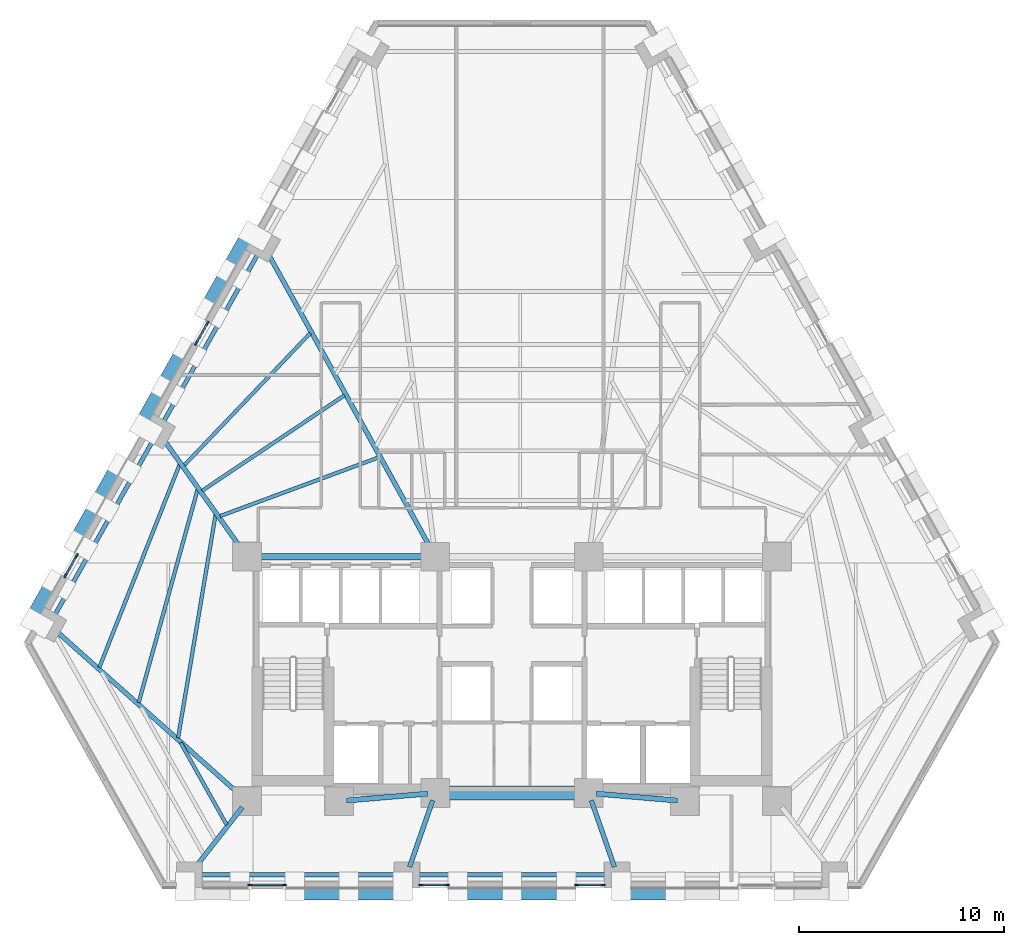
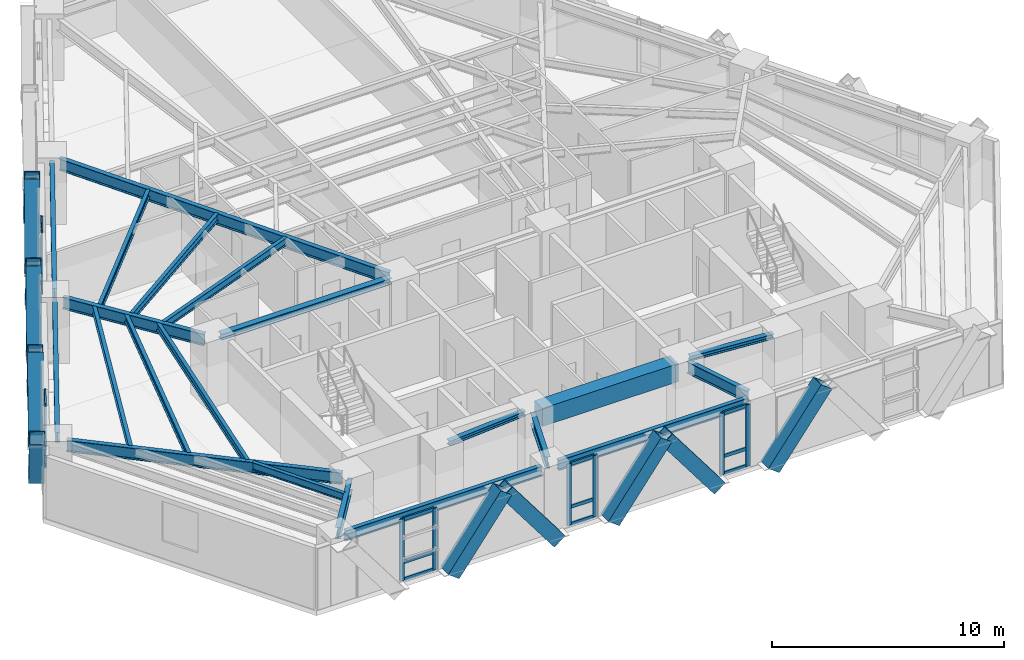
# One storey, part 2 of 13: 37 members, 21 beams, 5 elements without a shape of their own.
"""IFC4 building model written with IfcOpenShell, lengths in metres."""

from ifc_helpers import new_model, si_unit, direction, frame, origin, origin_2d, place, context, subcontext, project, spatial, rectangle, hollow_rectangle, i_section, extrude, material, material_profile, profile_set, type_object, element, aggregate, save


model = new_model("IFC4")

# Units and contexts
model_context = context("Model", 3, precision=1e-05, world=origin(), true_north=direction((0.0, 1.0)))
body_context = subcontext(model_context, "Body", "Model", "MODEL_VIEW")
ifc_project = project(units=[si_unit("LENGTHUNIT", "METRE"), si_unit("AREAUNIT", "SQUARE_METRE"), si_unit("VOLUMEUNIT", "CUBIC_METRE"), si_unit("PLANEANGLEUNIT", "RADIAN"), si_unit("MASSUNIT", "GRAM", prefix="KILO")], contexts=[model_context])

# Site, building, storey
site_placement = place(None, origin())
site = spatial("IfcSite", under=ifc_project, at=site_placement, CompositionType="ELEMENT")
building_placement = place(site_placement, origin())
building = spatial("IfcBuilding", under=site, at=building_placement, Name="Quenlor Broadcast Tower", CompositionType="ELEMENT")
storey_placement = place(building_placement, frame((0.0, 0.0, 66.10009765625)))
storey = spatial("IfcBuildingStorey", under=building, at=storey_placement, Name="L17", CompositionType="ELEMENT", Elevation=66.10009765625)

# Curtain wall, members
ifc_material_1 = material(Name="Architectural Terracotta and Low-E Glazing", Category="masonry")
curtain_wall_type = type_object("IfcCurtainWallType", Name="Unitised Terracotta Curtain Wall System Z1", PredefinedType="NOTDEFINED", material=ifc_material_1)
curtain_wall_1_placement = place(storey_placement, origin())
curtain_wall_1 = element("IfcCurtainWall", 1, at=curtain_wall_1_placement, inside=storey, type_object=curtain_wall_type, Name="L17 Curtain Wall CW1 (L17-SC-G1)", PredefinedType="NOTDEFINED")
ifc_material_2 = material(Name="Aluminium 6063-T6", Category="aluminium")
ifc_material_profile_1 = material_profile(ifc_material_2, rectangle(XDim=0.080078125, YDim=0.219970703125, at=origin_2d()))
ifc_profile_set_1 = profile_set([ifc_material_profile_1], Name="Aluminium 6063-T6 MULL80x220")
member_type_1 = type_object("IfcMemberType", Name="CW1 Aluminium Mullion MULL_CW1", PredefinedType="MULLION", material=ifc_profile_set_1)
member_1_placement = place(storey_placement, frame((-11.146484375, -20.840087890625, 0.0), z_axis=(0.0, 0.0, 1.0), x_axis=(0.0, -1.0, 0.0)))
member_1 = element("IfcMember", 2, at=member_1_placement, type_object=member_type_1, Name="CW1 mullion 1", PredefinedType="MULLION", context=body_context, shape_type="SweptSolid", body=[
    extrude(rectangle(XDim=0.080078125, YDim=0.219970703125, at=origin_2d()), origin(), (0.0, 0.0, 1.0), 3.25),
])
member_2_placement = place(storey_placement, frame((-12.794921875, -20.840087890625, 0.0), z_axis=(0.0, 0.0, 1.0), x_axis=(0.0, -1.0, 0.0)))
member_2 = element("IfcMember", 3, at=member_2_placement, type_object=member_type_1, Name="CW1 mullion 2", PredefinedType="MULLION", context=body_context, shape_type="SweptSolid", body=[
    extrude(rectangle(XDim=0.080078125, YDim=0.219970703125, at=origin_2d()), origin(), (0.0, 0.0, 1.0), 3.25),
])

curtain_wall_2_placement = place(storey_placement, origin())
curtain_wall_2 = element("IfcCurtainWall", 4, at=curtain_wall_2_placement, inside=storey, type_object=curtain_wall_type, Name="L17 Curtain Wall CW1 (L17-S-G1)", PredefinedType="NOTDEFINED")
member_3_placement = place(storey_placement, frame((4.455810546875, -20.840087890625, 0.0), z_axis=(0.0, 0.0, 1.0), x_axis=(0.0, -1.0, 0.0)))
member_3 = element("IfcMember", 5, at=member_3_placement, type_object=member_type_1, Name="CW1 mullion 1", PredefinedType="MULLION", context=body_context, shape_type="SweptSolid", body=[
    extrude(rectangle(XDim=0.080078125, YDim=0.219970703125, at=origin_2d()), origin(), (0.0, 0.0, 1.0), 3.25),
])
member_4_placement = place(storey_placement, frame((3.166015625, -20.840087890625, 0.0), z_axis=(0.0, 0.0, 1.0), x_axis=(0.0, -1.0, 0.0)))
member_4 = element("IfcMember", 6, at=member_4_placement, type_object=member_type_1, Name="CW1 mullion 2", PredefinedType="MULLION", context=body_context, shape_type="SweptSolid", body=[
    extrude(rectangle(XDim=0.080078125, YDim=0.219970703125, at=origin_2d()), origin(), (0.0, 0.0, 1.0), 3.25),
])

curtain_wall_3_placement = place(storey_placement, origin())
curtain_wall_3 = element("IfcCurtainWall", 7, at=curtain_wall_3_placement, inside=storey, type_object=curtain_wall_type, Name="L17 Curtain Wall CW1 (L17-S-G2)", PredefinedType="NOTDEFINED")
member_5_placement = place(storey_placement, frame((-3.166015625, -20.840087890625, 0.0), z_axis=(0.0, 0.0, 1.0), x_axis=(0.0, -1.0, 0.0)))
member_5 = element("IfcMember", 8, at=member_5_placement, type_object=member_type_1, Name="CW1 mullion 1", PredefinedType="MULLION", context=body_context, shape_type="SweptSolid", body=[
    extrude(rectangle(XDim=0.080078125, YDim=0.219970703125, at=origin_2d()), origin(), (0.0, 0.0, 1.0), 3.25),
])
member_6_placement = place(storey_placement, frame((-4.455810546875, -20.840087890625, 0.0), z_axis=(0.0, 0.0, 1.0), x_axis=(0.0, -1.0, 0.0)))
member_6 = element("IfcMember", 9, at=member_6_placement, type_object=member_type_1, Name="CW1 mullion 2", PredefinedType="MULLION", context=body_context, shape_type="SweptSolid", body=[
    extrude(rectangle(XDim=0.080078125, YDim=0.219970703125, at=origin_2d()), origin(), (0.0, 0.0, 1.0), 3.25),
])

curtain_wall_4_placement = place(storey_placement, origin())
curtain_wall_4 = element("IfcCurtainWall", 10, at=curtain_wall_4_placement, inside=storey, type_object=curtain_wall_type, Name="L17 Curtain Wall CW1 (L17-NWA-G1)", PredefinedType="NOTDEFINED")
member_7_placement = place(storey_placement, frame((-21.830322265625, -5.736083984375, 0.0), z_axis=(0.0, 0.0, 1.0), x_axis=(-0.871602077703, 0.490214053392, 0.0)))
member_7 = element("IfcMember", 11, at=member_7_placement, type_object=member_type_1, Name="CW1 mullion 1", PredefinedType="MULLION", context=body_context, shape_type="SweptSolid", body=[
    extrude(rectangle(XDim=0.080078125, YDim=0.219970703125, at=origin_2d()), origin(), (0.0, 0.0, 1.0), 3.25),
])
member_8_placement = place(storey_placement, frame((-21.277587890625, -4.75341796875, 0.0), z_axis=(0.0, 0.0, 1.0), x_axis=(-0.871602077703, 0.490214053392, 0.0)))
member_8 = element("IfcMember", 12, at=member_8_placement, type_object=member_type_1, Name="CW1 mullion 2", PredefinedType="MULLION", context=body_context, shape_type="SweptSolid", body=[
    extrude(rectangle(XDim=0.080078125, YDim=0.219970703125, at=origin_2d()), origin(), (0.0, 0.0, 1.0), 3.25),
])

curtain_wall_5_placement = place(storey_placement, origin())
curtain_wall_5 = element("IfcCurtainWall", 13, at=curtain_wall_5_placement, inside=storey, type_object=curtain_wall_type, Name="L17 Curtain Wall CW1 (L17-NW-G1)", PredefinedType="NOTDEFINED")
member_9_placement = place(storey_placement, frame((-15.436767578125, 5.63037109375, 0.0), z_axis=(0.0, 0.0, 1.0), x_axis=(-0.871566690057, 0.49027696742, 0.0)))
member_9 = element("IfcMember", 14, at=member_9_placement, type_object=member_type_1, Name="CW1 mullion 1", PredefinedType="MULLION", context=body_context, shape_type="SweptSolid", body=[
    extrude(rectangle(XDim=0.080078125, YDim=0.219970703125, at=origin_2d()), origin(), (0.0, 0.0, 1.0), 3.25),
])
member_10_placement = place(storey_placement, frame((-14.884033203125, 6.613037109375, 0.0), z_axis=(0.0, 0.0, 1.0), x_axis=(-0.871566690057, 0.49027696742, 0.0)))
member_10 = element("IfcMember", 15, at=member_10_placement, type_object=member_type_1, Name="CW1 mullion 2", PredefinedType="MULLION", context=body_context, shape_type="SweptSolid", body=[
    extrude(rectangle(XDim=0.080078125, YDim=0.219970703125, at=origin_2d()), origin(), (0.0, 0.0, 1.0), 3.25),
])

# Member
ifc_material_3 = material(Name="Aluminium 6063-T6", Category="aluminium")
ifc_material_profile_2 = material_profile(ifc_material_3, rectangle(XDim=0.080078125, YDim=0.179931640625, at=origin_2d()))
ifc_profile_set_2 = profile_set([ifc_material_profile_2], Name="Aluminium 6063-T6 TRAN80x180")
member_type_2 = type_object("IfcMemberType", Name="CW1 Aluminium Transom TRAN_CW1", PredefinedType="USERDEFINED", material=ifc_profile_set_2)
member_11_placement = place(storey_placement, frame((-11.1865234375, -20.840087890625, 0.039794921875), z_axis=(-1.0, 0.0, 0.0), x_axis=(0.0, -1.0, 0.0)))
member_11 = element("IfcMember", 16, at=member_11_placement, type_object=member_type_2, Name="CW1 transom 1.1", ObjectType="TRANSOM", PredefinedType="USERDEFINED", context=body_context, shape_type="SweptSolid", body=[
    extrude(rectangle(XDim=0.080078125, YDim=0.179931640625, at=origin_2d()), origin(), (0.0, 0.0, 1.0), 1.568359375),
])

member_12_placement = place(storey_placement, frame((-11.1865234375, -20.840087890625, 0.949951171875), z_axis=(-1.0, 0.0, 0.0), x_axis=(0.0, -1.0, 0.0)))
member_12 = element("IfcMember", 17, at=member_12_placement, type_object=member_type_2, Name="CW1 transom 1.2", ObjectType="TRANSOM", PredefinedType="USERDEFINED", context=body_context, shape_type="SweptSolid", body=[
    extrude(rectangle(XDim=0.080078125, YDim=0.179931640625, at=origin_2d()), origin(), (0.0, 0.0, 1.0), 1.568359375),
])

member_13_placement = place(storey_placement, frame((-11.1865234375, -20.840087890625, 3.2099609375), z_axis=(-1.0, 0.0, 0.0), x_axis=(0.0, -1.0, 0.0)))
member_13 = element("IfcMember", 18, at=member_13_placement, type_object=member_type_2, Name="CW1 transom 1.3", ObjectType="TRANSOM", PredefinedType="USERDEFINED", context=body_context, shape_type="SweptSolid", body=[
    extrude(rectangle(XDim=0.080078125, YDim=0.179931640625, at=origin_2d()), origin(), (0.0, 0.0, 1.0), 1.568359375),
])

aggregate(curtain_wall_1, [member_1, member_2, member_11, member_12, member_13])

member_14_placement = place(storey_placement, frame((4.415771484375, -20.840087890625, 0.039794921875), z_axis=(-1.0, 0.0, 0.0), x_axis=(0.0, -1.0, 0.0)))
member_14 = element("IfcMember", 19, at=member_14_placement, type_object=member_type_2, Name="CW1 transom 1.1", ObjectType="TRANSOM", PredefinedType="USERDEFINED", context=body_context, shape_type="SweptSolid", body=[
    extrude(rectangle(XDim=0.080078125, YDim=0.179931640625, at=origin_2d()), origin(), (0.0, 0.0, 1.0), 1.209716796875),
])

member_15_placement = place(storey_placement, frame((4.415771484375, -20.840087890625, 0.949951171875), z_axis=(-1.0, 0.0, 0.0), x_axis=(0.0, -1.0, 0.0)))
member_15 = element("IfcMember", 20, at=member_15_placement, type_object=member_type_2, Name="CW1 transom 1.2", ObjectType="TRANSOM", PredefinedType="USERDEFINED", context=body_context, shape_type="SweptSolid", body=[
    extrude(rectangle(XDim=0.080078125, YDim=0.179931640625, at=origin_2d()), origin(), (0.0, 0.0, 1.0), 1.209716796875),
])

member_16_placement = place(storey_placement, frame((4.415771484375, -20.840087890625, 3.2099609375), z_axis=(-1.0, 0.0, 0.0), x_axis=(0.0, -1.0, 0.0)))
member_16 = element("IfcMember", 21, at=member_16_placement, type_object=member_type_2, Name="CW1 transom 1.3", ObjectType="TRANSOM", PredefinedType="USERDEFINED", context=body_context, shape_type="SweptSolid", body=[
    extrude(rectangle(XDim=0.080078125, YDim=0.179931640625, at=origin_2d()), origin(), (0.0, 0.0, 1.0), 1.209716796875),
])

aggregate(curtain_wall_2, [member_3, member_4, member_14, member_15, member_16])

member_17_placement = place(storey_placement, frame((-3.2060546875, -20.840087890625, 0.039794921875), z_axis=(-1.0, 0.0, 0.0), x_axis=(0.0, -1.0, 0.0)))
member_17 = element("IfcMember", 22, at=member_17_placement, type_object=member_type_2, Name="CW1 transom 1.1", ObjectType="TRANSOM", PredefinedType="USERDEFINED", context=body_context, shape_type="SweptSolid", body=[
    extrude(rectangle(XDim=0.080078125, YDim=0.179931640625, at=origin_2d()), origin(), (0.0, 0.0, 1.0), 1.209716796875),
])

member_18_placement = place(storey_placement, frame((-3.2060546875, -20.840087890625, 0.949951171875), z_axis=(-1.0, 0.0, 0.0), x_axis=(0.0, -1.0, 0.0)))
member_18 = element("IfcMember", 23, at=member_18_placement, type_object=member_type_2, Name="CW1 transom 1.2", ObjectType="TRANSOM", PredefinedType="USERDEFINED", context=body_context, shape_type="SweptSolid", body=[
    extrude(rectangle(XDim=0.080078125, YDim=0.179931640625, at=origin_2d()), origin(), (0.0, 0.0, 1.0), 1.209716796875),
])

member_19_placement = place(storey_placement, frame((-3.2060546875, -20.840087890625, 3.2099609375), z_axis=(-1.0, 0.0, 0.0), x_axis=(0.0, -1.0, 0.0)))
member_19 = element("IfcMember", 24, at=member_19_placement, type_object=member_type_2, Name="CW1 transom 1.3", ObjectType="TRANSOM", PredefinedType="USERDEFINED", context=body_context, shape_type="SweptSolid", body=[
    extrude(rectangle(XDim=0.080078125, YDim=0.179931640625, at=origin_2d()), origin(), (0.0, 0.0, 1.0), 1.209716796875),
])

aggregate(curtain_wall_3, [member_5, member_6, member_17, member_18, member_19])

member_20_placement = place(storey_placement, frame((-21.810791015625, -5.701171875, 0.039794921875), z_axis=(0.490228036821, 0.871594212874, 0.0), x_axis=(-0.871594212874, 0.490228036821, 0.0)))
member_20 = element("IfcMember", 25, at=member_20_placement, type_object=member_type_2, Name="CW1 transom 1.1", ObjectType="TRANSOM", PredefinedType="USERDEFINED", context=body_context, shape_type="SweptSolid", body=[
    extrude(rectangle(XDim=0.080078125, YDim=0.179931640625, at=origin_2d()), origin(), (0.0, 0.0, 1.0), 1.04736328125),
])

member_21_placement = place(storey_placement, frame((-21.810791015625, -5.701171875, 0.949951171875), z_axis=(0.490228036821, 0.871594212874, 0.0), x_axis=(-0.871594212874, 0.490228036821, 0.0)))
member_21 = element("IfcMember", 26, at=member_21_placement, type_object=member_type_2, Name="CW1 transom 1.2", ObjectType="TRANSOM", PredefinedType="USERDEFINED", context=body_context, shape_type="SweptSolid", body=[
    extrude(rectangle(XDim=0.080078125, YDim=0.179931640625, at=origin_2d()), origin(), (0.0, 0.0, 1.0), 1.04736328125),
])

member_22_placement = place(storey_placement, frame((-21.810791015625, -5.701171875, 3.2099609375), z_axis=(0.490228036821, 0.871594212874, 0.0), x_axis=(-0.871594212874, 0.490228036821, 0.0)))
member_22 = element("IfcMember", 27, at=member_22_placement, type_object=member_type_2, Name="CW1 transom 1.3", ObjectType="TRANSOM", PredefinedType="USERDEFINED", context=body_context, shape_type="SweptSolid", body=[
    extrude(rectangle(XDim=0.080078125, YDim=0.179931640625, at=origin_2d()), origin(), (0.0, 0.0, 1.0), 1.04736328125),
])

aggregate(curtain_wall_4, [member_7, member_8, member_20, member_21, member_22])

member_23_placement = place(storey_placement, frame((-15.417236328125, 5.6650390625, 0.039794921875), z_axis=(0.490128451098, 0.87165021736, 0.0), x_axis=(-0.87165021736, 0.490128451098, 0.0)))
member_23 = element("IfcMember", 28, at=member_23_placement, type_object=member_type_2, Name="CW1 transom 1.1", ObjectType="TRANSOM", PredefinedType="USERDEFINED", context=body_context, shape_type="SweptSolid", body=[
    extrude(rectangle(XDim=0.080078125, YDim=0.179931640625, at=origin_2d()), origin(), (0.0, 0.0, 1.0), 1.047607421875),
])

member_24_placement = place(storey_placement, frame((-15.417236328125, 5.6650390625, 0.949951171875), z_axis=(0.490128451098, 0.87165021736, 0.0), x_axis=(-0.87165021736, 0.490128451098, 0.0)))
member_24 = element("IfcMember", 29, at=member_24_placement, type_object=member_type_2, Name="CW1 transom 1.2", ObjectType="TRANSOM", PredefinedType="USERDEFINED", context=body_context, shape_type="SweptSolid", body=[
    extrude(rectangle(XDim=0.080078125, YDim=0.179931640625, at=origin_2d()), origin(), (0.0, 0.0, 1.0), 1.047607421875),
])

member_25_placement = place(storey_placement, frame((-15.417236328125, 5.6650390625, 3.2099609375), z_axis=(0.490128451098, 0.87165021736, 0.0), x_axis=(-0.87165021736, 0.490128451098, 0.0)))
member_25 = element("IfcMember", 30, at=member_25_placement, type_object=member_type_2, Name="CW1 transom 1.3", ObjectType="TRANSOM", PredefinedType="USERDEFINED", context=body_context, shape_type="SweptSolid", body=[
    extrude(rectangle(XDim=0.080078125, YDim=0.179931640625, at=origin_2d()), origin(), (0.0, 0.0, 1.0), 1.047607421875),
])

aggregate(curtain_wall_5, [member_9, member_10, member_23, member_24, member_25])

# Beams
ifc_material_4 = material(Name="Concrete C50/60", Category="concrete")
ifc_material_profile_3 = material_profile(ifc_material_4, rectangle(XDim=0.699951171875, YDim=0.949951171875, at=origin_2d()))
ifc_profile_set_3 = profile_set([ifc_material_profile_3], Name="Concrete C50/60 RCB700x950")
beam_type_1 = type_object("IfcBeamType", Name="Core Coupling Beam Concrete C50/60 700x950", PredefinedType="BEAM", material=ifc_profile_set_3)
beam_1_placement = place(storey_placement, frame((-3.389892578125, -16.35009765625, 2.77490234375), z_axis=(1.0, 0.0, 0.0), x_axis=(0.0, 1.0, 0.0)))
element("IfcBeam", 31, at=beam_1_placement, inside=storey, type_object=beam_type_1, Name="L17 Core Coupling Beam 6", PredefinedType="BEAM", context=body_context, shape_type="SweptSolid", body=[
    extrude(rectangle(XDim=0.699951171875, YDim=0.949951171875, at=origin_2d()), origin(), (0.0, 0.0, 1.0), 6.77978515625),
])
ifc_material_5 = material(Name="Steel S355", Category="steel")
ifc_material_profile_4 = material_profile(ifc_material_5, i_section(OverallWidth=0.25390625, OverallDepth=0.25390625, WebThickness=0.008544921875, FlangeThickness=0.01416015625, FilletRadius=0.013916015625, at=origin_2d()))
ifc_profile_set_4 = profile_set([ifc_material_profile_4], Name="Steel S355 250UC72.9")
beam_type_2 = type_object("IfcBeamType", Name="Core Opening Lintel Beam Steel S355 250UC72.9", PredefinedType="LINTEL", material=ifc_profile_set_4)
for number, where, z_axis, x_axis, name in (
    (32, (-8.09130859375, -16.719482421875, 3.123046875), (0.996399763903, 0.084779186679, 0.0), (-0.084779186679, 0.996399763903, 0.0), "L17 Core Opening Lintel Beam 4"),
    (33, (4.108642578125, -16.380615234375, 3.123046875), (0.996399763903, -0.084779186679, 0.0), (0.084779186679, 0.996399763903, 0.0), "L17 Core Opening Lintel Beam 5"),
):
    element("IfcBeam", number, at=place(storey_placement, frame(where, z_axis=z_axis, x_axis=x_axis)), inside=storey, type_object=beam_type_2, Name=name, PredefinedType="LINTEL", context=body_context, shape_type="SweptSolid", body=[
        extrude(i_section(OverallWidth=0.25390625, OverallDepth=0.25390625, WebThickness=0.008544921875, FlangeThickness=0.01416015625, FilletRadius=0.013916015625, at=origin_2d()), origin(), (0.0, 0.0, 1.0), 3.9970703125),
    ])
ifc_material_6 = material(Name="Steel S355", Category="steel")
ifc_material_profile_5 = material_profile(ifc_material_6, i_section(OverallWidth=0.306884765625, OverallDepth=0.314697265625, WebThickness=0.011962890625, FlangeThickness=0.018798828125, FilletRadius=0.0166015625, at=origin_2d()))
ifc_profile_set_5 = profile_set([ifc_material_profile_5], Name="Steel S355 310UC118")
beam_type_3 = type_object("IfcBeamType", Name="Core Tie Beam Steel S355 310UC118", PredefinedType="BEAM", material=ifc_profile_set_5)
beam_2_placement = place(storey_placement, frame((-12.590087890625, -4.800048828125, 3.092529296875), z_axis=(1.0, 0.0, 0.0), x_axis=(0.0, 1.0, 0.0)))
element("IfcBeam", 34, at=beam_2_placement, inside=storey, type_object=beam_type_3, Name="L17 Core Tie Beam 1", PredefinedType="BEAM", context=body_context, shape_type="SweptSolid", body=[
    extrude(i_section(OverallWidth=0.306884765625, OverallDepth=0.314697265625, WebThickness=0.011962890625, FlangeThickness=0.018798828125, FilletRadius=0.0166015625, at=origin_2d()), origin(), (0.0, 0.0, 1.0), 8.47998046875),
])

# Members
ifc_material_7 = material(Name="Steel S355", Category="steel")
ifc_material_profile_6 = material_profile(ifc_material_7, hollow_rectangle(XDim=0.679931640625, YDim=0.679931640625, WallThickness=0.034912109375, at=origin_2d()))
ifc_profile_set_6 = profile_set([ifc_material_profile_6], Name="Steel S355 RHS680x680x35")
member_type_3 = type_object("IfcMemberType", Name="Perimeter Diagonal Lattice Brace Z1 Steel S355 RHS680x35", PredefinedType="BRACE", material=ifc_profile_set_6)
for number, where, z_axis, x_axis, name in (
    (35, (2.644287109375, -21.235107421875, -0.1201171875), (-0.600463982679, 0.0, 0.799651802665), (0.0, -1.0, 0.0), "L17 Perimeter Diamond Lattice S-C2S"),
    (36, (5.336181640625, -21.235107421875, -0.1201171875), (0.60049964856, 0.0, 0.799625019668), (0.0, 1.0, 0.0), "L17 Perimeter Diamond Lattice S-C2B"),
    (37, (-5.336181640625, -21.235107421875, -0.1201171875), (-0.60049964856, 0.0, 0.799625019668), (0.0, -1.0, 0.0), "L17 Perimeter Diamond Lattice S-C3S"),
    (38, (-2.644287109375, -21.235107421875, -0.1201171875), (0.600463982679, 0.0, 0.799651802665), (0.0, 1.0, 0.0), "L17 Perimeter Diamond Lattice S-C3B"),
    (39, (-10.624755859375, -21.235107421875, -0.1201171875), (0.600463982679, 0.0, 0.799651802665), (0.0, 1.0, 0.0), "L17 Perimeter Diamond Lattice S-C4B"),
):
    element("IfcMember", number, at=place(storey_placement, frame(where, z_axis=z_axis, x_axis=x_axis)), inside=storey, type_object=member_type_3, Name=name, PredefinedType="BRACE", context=body_context, shape_type="SweptSolid", body=[
        extrude(hollow_rectangle(XDim=0.679931640625, YDim=0.679931640625, WallThickness=0.034912109375, at=origin_2d()), origin(), (0.0, 0.0, 1.0), 4.376953125),
    ])
member_26_placement = place(storey_placement, frame((-21.359130859375, -4.092529296875, -0.1201171875), z_axis=(0.256375341489, 0.45579159737, 0.852364771705), x_axis=(-0.871581609758, 0.490250443683, 0.0)))
element("IfcMember", 40, at=member_26_placement, inside=storey, type_object=member_type_3, Name="L17 Perimeter Diamond Lattice NW-C1S", PredefinedType="BRACE", context=body_context, shape_type="SweptSolid", body=[
    extrude(hollow_rectangle(XDim=0.679931640625, YDim=0.679931640625, WallThickness=0.034912109375, at=origin_2d()), origin(), (0.0, 0.0, 1.0), 4.106201171875),
])
member_27_placement = place(storey_placement, frame((-22.4375, -6.009521484375, -0.1201171875), z_axis=(-0.256368393635, -0.455838699906, 0.852341672343), x_axis=(0.871608931644, -0.490201866865, 0.0)))
element("IfcMember", 41, at=member_27_placement, inside=storey, type_object=member_type_3, Name="L17 Perimeter Diamond Lattice NW-C1B", PredefinedType="BRACE", context=body_context, shape_type="SweptSolid", body=[
    extrude(hollow_rectangle(XDim=0.679931640625, YDim=0.679931640625, WallThickness=0.034912109375, at=origin_2d()), origin(), (0.0, 0.0, 1.0), 4.1064453125),
])
for number, where, z_axis, x_axis, name in (
    (42, (-18.162353515625, 1.5908203125, -0.1201171875), (0.256375341489, 0.45579159737, 0.852364771705), (-0.871581609758, 0.490250443683, 0.0), "L17 Perimeter Diamond Lattice NW-C2S"),
    (43, (-19.24072265625, -0.326416015625, -0.1201171875), (-0.256375341489, -0.45579159737, 0.852364771705), (0.871581609758, -0.490250443683, 0.0), "L17 Perimeter Diamond Lattice NW-C2B"),
):
    element("IfcMember", number, at=place(storey_placement, frame(where, z_axis=z_axis, x_axis=x_axis)), inside=storey, type_object=member_type_3, Name=name, PredefinedType="BRACE", context=body_context, shape_type="SweptSolid", body=[
        extrude(hollow_rectangle(XDim=0.679931640625, YDim=0.679931640625, WallThickness=0.034912109375, at=origin_2d()), origin(), (0.0, 0.0, 1.0), 4.106201171875),
    ])
member_28_placement = place(storey_placement, frame((-14.965576171875, 7.273681640625, -0.1201171875), z_axis=(0.256368393635, 0.455838699906, 0.852341672343), x_axis=(-0.871608931644, 0.490201866865, 0.0)))
element("IfcMember", 44, at=member_28_placement, inside=storey, type_object=member_type_3, Name="L17 Perimeter Diamond Lattice NW-C3S", PredefinedType="BRACE", context=body_context, shape_type="SweptSolid", body=[
    extrude(hollow_rectangle(XDim=0.679931640625, YDim=0.679931640625, WallThickness=0.034912109375, at=origin_2d()), origin(), (0.0, 0.0, 1.0), 4.1064453125),
])
for number, where, z_axis, x_axis, name in (
    (45, (-16.0439453125, 5.356689453125, -0.1201171875), (-0.256375341489, -0.45579159737, 0.852364771705), (0.871581609758, -0.490250443683, 0.0), "L17 Perimeter Diamond Lattice NW-C3B"),
    (46, (-12.84716796875, 11.039794921875, -0.1201171875), (-0.256375341489, -0.45579159737, 0.852364771705), (0.871581609758, -0.490250443683, 0.0), "L17 Perimeter Diamond Lattice NW-C4B"),
):
    element("IfcMember", number, at=place(storey_placement, frame(where, z_axis=z_axis, x_axis=x_axis)), inside=storey, type_object=member_type_3, Name=name, PredefinedType="BRACE", context=body_context, shape_type="SweptSolid", body=[
        extrude(hollow_rectangle(XDim=0.679931640625, YDim=0.679931640625, WallThickness=0.034912109375, at=origin_2d()), origin(), (0.0, 0.0, 1.0), 4.106201171875),
    ])

# Beams
ifc_material_8 = material(Name="Steel S355", Category="steel")
ifc_material_profile_7 = material_profile(ifc_material_8, i_section(OverallWidth=0.208984375, OverallDepth=0.532958984375, WebThickness=0.01025390625, FlangeThickness=0.015625, FilletRadius=0.013916015625, at=origin_2d()))
ifc_profile_set_7 = profile_set([ifc_material_profile_7], Name="Steel S355 530UB92.4")
beam_type_4 = type_object("IfcBeamType", Name="Perimeter Spandrel Beam Z1 Steel S355 530UB92.4", PredefinedType="SPANDREL", material=ifc_profile_set_7)
beam_3_placement = place(storey_placement, frame((-15.35498046875, -20.35009765625, 2.9833984375), z_axis=(1.0, 0.0, 0.0), x_axis=(0.0, 1.0, 0.0)))
element("IfcBeam", 47, at=beam_3_placement, inside=storey, type_object=beam_type_4, Name="L17 Spandrel Beam S1-S2", PredefinedType="SPANDREL", context=body_context, shape_type="SweptSolid", body=[
    extrude(i_section(OverallWidth=0.208984375, OverallDepth=0.532958984375, WebThickness=0.01025390625, FlangeThickness=0.015625, FilletRadius=0.013916015625, at=origin_2d()), origin(), (0.0, 0.0, 1.0), 9.80419921875),
])
beam_4_placement = place(storey_placement, frame((-4.730712890625, -20.35009765625, 2.9833984375), z_axis=(1.0, 0.0, 0.0), x_axis=(0.0, 1.0, 0.0)))
element("IfcBeam", 48, at=beam_4_placement, inside=storey, type_object=beam_type_4, Name="L17 Spandrel Beam S2-S3", PredefinedType="SPANDREL", context=body_context, shape_type="SweptSolid", body=[
    extrude(i_section(OverallWidth=0.208984375, OverallDepth=0.532958984375, WebThickness=0.01025390625, FlangeThickness=0.015625, FilletRadius=0.013916015625, at=origin_2d()), origin(), (0.0, 0.0, 1.0), 9.46142578125),
])
beam_5_placement = place(storey_placement, frame((-12.364013671875, 10.093505859375, 2.9833984375), z_axis=(-0.490257642051, -0.871577560755, 0.0), x_axis=(0.871577560755, -0.490257642051, 0.0)))
element("IfcBeam", 49, at=beam_5_placement, inside=storey, type_object=beam_type_4, Name="L17 Spandrel Beam NW2-NW3", PredefinedType="SPANDREL", context=body_context, shape_type="SweptSolid", body=[
    extrude(i_section(OverallWidth=0.208984375, OverallDepth=0.532958984375, WebThickness=0.01025390625, FlangeThickness=0.015625, FilletRadius=0.013916015625, at=origin_2d()), origin(), (0.0, 0.0, 1.0), 9.665771484375),
])
beam_6_placement = place(storey_placement, frame((-17.5048828125, 0.954345703125, 2.9833984375), z_axis=(-0.490257767622, -0.871577490121, 0.0), x_axis=(0.871577490121, -0.490257767622, 0.0)))
element("IfcBeam", 50, at=beam_6_placement, inside=storey, type_object=beam_type_4, Name="L17 Spandrel Beam NW3-NW4", PredefinedType="SPANDREL", context=body_context, shape_type="SweptSolid", body=[
    extrude(i_section(OverallWidth=0.208984375, OverallDepth=0.532958984375, WebThickness=0.01025390625, FlangeThickness=0.015625, FilletRadius=0.013916015625, at=origin_2d()), origin(), (0.0, 0.0, 1.0), 10.015380859375),
])
ifc_material_9 = material(Name="Steel S355", Category="steel")
ifc_material_profile_8 = material_profile(ifc_material_9, i_section(OverallWidth=0.177978515625, OverallDepth=0.406494140625, WebThickness=0.0078125, FlangeThickness=0.0126953125, FilletRadius=0.011474609375, at=origin_2d()))
ifc_profile_set_8 = profile_set([ifc_material_profile_8], Name="Steel S355 410UB59.7")
beam_type_5 = type_object("IfcBeamType", Name="Tower Composite Joist Z1 Steel S355 410UB59.7", PredefinedType="JOIST", material=ifc_profile_set_8)
beam_7_placement = place(storey_placement, frame((-14.268310546875, -2.81640625, 3.046630859375), z_axis=(0.937824633945, 0.347109429383, 0.0), x_axis=(-0.347109429383, 0.937824633945, 0.0)))
element("IfcBeam", 51, at=beam_7_placement, inside=storey, type_object=beam_type_5, Name="L17 Secondary Composite Joist 7", PredefinedType="JOIST", context=body_context, shape_type="SweptSolid", body=[
    extrude(i_section(OverallWidth=0.177978515625, OverallDepth=0.406494140625, WebThickness=0.0078125, FlangeThickness=0.0126953125, FilletRadius=0.011474609375, at=origin_2d()), origin(), (0.0, 0.0, 1.0), 8.26513671875),
])
beam_8_placement = place(storey_placement, frame((-15.147705078125, -1.577392578125, 3.046630859375), z_axis=(0.830625844363, 0.556830949819, 0.0), x_axis=(-0.556830949819, 0.830625844363, 0.0)))
element("IfcBeam", 52, at=beam_8_placement, inside=storey, type_object=beam_type_5, Name="L17 Secondary Composite Joist 8", PredefinedType="JOIST", context=body_context, shape_type="SweptSolid", body=[
    extrude(i_section(OverallWidth=0.177978515625, OverallDepth=0.406494140625, WebThickness=0.0078125, FlangeThickness=0.0126953125, FilletRadius=0.011474609375, at=origin_2d()), origin(), (0.0, 0.0, 1.0), 8.374755859375),
])
beam_9_placement = place(storey_placement, frame((-16.029541015625, -0.341796875, 3.046630859375), z_axis=(0.690241086162, 0.723579465556, 0.0), x_axis=(-0.723579465556, 0.690241086162, 0.0)))
element("IfcBeam", 53, at=beam_9_placement, inside=storey, type_object=beam_type_5, Name="L17 Secondary Composite Joist 9", PredefinedType="JOIST", context=body_context, shape_type="SweptSolid", body=[
    extrude(i_section(OverallWidth=0.177978515625, OverallDepth=0.406494140625, WebThickness=0.0078125, FlangeThickness=0.0126953125, FilletRadius=0.011474609375, at=origin_2d()), origin(), (0.0, 0.0, 1.0), 8.93408203125),
])
beam_10_placement = place(storey_placement, frame((-16.31982421875, -13.65478515625, 3.046630859375), z_axis=(0.16559360599, 0.986194077074, 0.0), x_axis=(-0.986194077074, 0.16559360599, 0.0)))
element("IfcBeam", 54, at=beam_10_placement, inside=storey, type_object=beam_type_5, Name="L17 Secondary Composite Joist 13", PredefinedType="JOIST", context=body_context, shape_type="SweptSolid", body=[
    extrude(i_section(OverallWidth=0.177978515625, OverallDepth=0.406494140625, WebThickness=0.0078125, FlangeThickness=0.0126953125, FilletRadius=0.011474609375, at=origin_2d()), origin(), (0.0, 0.0, 1.0), 11.06787109375),
])
beam_11_placement = place(storey_placement, frame((-18.2451171875, -11.93310546875, 3.046630859375), z_axis=(0.266390054368, 0.963865311615, 0.0), x_axis=(-0.963865311615, 0.266390054368, 0.0)))
element("IfcBeam", 55, at=beam_11_placement, inside=storey, type_object=beam_type_5, Name="L17 Secondary Composite Joist 14", PredefinedType="JOIST", context=body_context, shape_type="SweptSolid", body=[
    extrude(i_section(OverallWidth=0.177978515625, OverallDepth=0.406494140625, WebThickness=0.0078125, FlangeThickness=0.0126953125, FilletRadius=0.011474609375, at=origin_2d()), origin(), (0.0, 0.0, 1.0), 10.80810546875),
])
beam_12_placement = place(storey_placement, frame((-20.170166015625, -10.212158203125, 3.046630859375), z_axis=(0.367884833597, 0.929871361646, 0.0), x_axis=(-0.929871361646, 0.367884833597, 0.0)))
element("IfcBeam", 56, at=beam_12_placement, inside=storey, type_object=beam_type_5, Name="L17 Secondary Composite Joist 15", PredefinedType="JOIST", context=body_context, shape_type="SweptSolid", body=[
    extrude(i_section(OverallWidth=0.177978515625, OverallDepth=0.406494140625, WebThickness=0.0078125, FlangeThickness=0.0126953125, FilletRadius=0.011474609375, at=origin_2d()), origin(), (0.0, 0.0, 1.0), 10.669921875),
])
beam_13_placement = place(storey_placement, frame((-13.9462890625, -17.904296875, 3.046630859375), z_axis=(-0.489062021968, 0.872249011848, 0.0), x_axis=(-0.872249011848, -0.489062021968, 0.0)))
element("IfcBeam", 57, at=beam_13_placement, inside=storey, type_object=beam_type_5, Name="L17 Secondary Composite Joist 19", PredefinedType="JOIST", context=body_context, shape_type="SweptSolid", body=[
    extrude(i_section(OverallWidth=0.177978515625, OverallDepth=0.406494140625, WebThickness=0.0078125, FlangeThickness=0.0126953125, FilletRadius=0.011474609375, at=origin_2d()), origin(), (0.0, 0.0, 1.0), 4.6025390625),
])
ifc_material_10 = material(Name="Steel S355", Category="steel")
ifc_material_profile_9 = material_profile(ifc_material_10, i_section(OverallWidth=0.22900390625, OverallDepth=0.611572265625, WebThickness=0.011962890625, FlangeThickness=0.01953125, FilletRadius=0.013916015625, at=origin_2d()))
ifc_profile_set_9 = profile_set([ifc_material_profile_9], Name="Steel S355 610UB125")
beam_type_6 = type_object("IfcBeamType", Name="Tower Primary Floor Beam Z1 Steel S355 610UB125", PredefinedType="BEAM", material=ifc_profile_set_9)
beam_14_placement = place(storey_placement, frame((-15.512451171875, -20.027099609375, 2.944091796875), z_axis=(0.615968610193, 0.78777069713, 0.0), x_axis=(-0.78777069713, 0.615968610193, 0.0)))
element("IfcBeam", 58, at=beam_14_placement, inside=storey, type_object=beam_type_6, Name="L17 Primary Radial Beam S1", PredefinedType="BEAM", context=body_context, shape_type="SweptSolid", body=[
    extrude(i_section(OverallWidth=0.22900390625, OverallDepth=0.611572265625, WebThickness=0.011962890625, FlangeThickness=0.01953125, FilletRadius=0.013916015625, at=origin_2d()), origin(), (0.0, 0.0, 1.0), 3.780029296875),
])
for number, where, z_axis, x_axis, name in (
    (59, (-5.006103515625, -19.962646484375, 2.944091796875), (0.328427161327, 0.944529300606, 0.0), (-0.944529300606, 0.328427161327, 0.0), "L17 Primary Radial Beam S2"),
    (60, (5.006103515625, -19.962646484375, 2.944091796875), (-0.328427161327, 0.944529300606, 0.0), (-0.944529300606, -0.328427161327, 0.0), "L17 Primary Radial Beam S3"),
):
    element("IfcBeam", number, at=place(storey_placement, frame(where, z_axis=z_axis, x_axis=x_axis)), inside=storey, type_object=beam_type_6, Name=name, PredefinedType="BEAM", context=body_context, shape_type="SweptSolid", body=[
        extrude(i_section(OverallWidth=0.22900390625, OverallDepth=0.611572265625, WebThickness=0.011962890625, FlangeThickness=0.01953125, FilletRadius=0.013916015625, at=origin_2d()), origin(), (0.0, 0.0, 1.0), 3.44482421875),
    ])
beam_15_placement = place(storey_placement, frame((-11.965087890625, 10.091796875, 2.944091796875), z_axis=(0.483026493693, -0.875605736842, 0.0), x_axis=(0.875605736842, 0.483026493693, 0.0)))
element("IfcBeam", 61, at=beam_15_placement, inside=storey, type_object=beam_type_6, Name="L17 Primary Radial Beam NW2", PredefinedType="BEAM", context=body_context, shape_type="SweptSolid", body=[
    extrude(i_section(OverallWidth=0.22900390625, OverallDepth=0.611572265625, WebThickness=0.011962890625, FlangeThickness=0.01953125, FilletRadius=0.013916015625, at=origin_2d()), origin(), (0.0, 0.0, 1.0), 16.62744140625),
])
beam_16_placement = place(storey_placement, frame((-17.06591796875, 0.977783203125, 2.944091796875), z_axis=(0.580212680853, -0.814465005373, 0.0), x_axis=(0.814465005373, 0.580212680853, 0.0)))
element("IfcBeam", 62, at=beam_16_placement, inside=storey, type_object=beam_type_6, Name="L17 Primary Radial Beam NW3", PredefinedType="BEAM", context=body_context, shape_type="SweptSolid", body=[
    extrude(i_section(OverallWidth=0.22900390625, OverallDepth=0.611572265625, WebThickness=0.011962890625, FlangeThickness=0.01953125, FilletRadius=0.013916015625, at=origin_2d()), origin(), (0.0, 0.0, 1.0), 6.7138671875),
])
beam_17_placement = place(storey_placement, frame((-22.31005859375, -8.40478515625, 2.944091796875), z_axis=(0.746413754585, -0.665482161268, 0.0), x_axis=(0.665482161268, 0.746413754585, 0.0)))
element("IfcBeam", 63, at=beam_17_placement, inside=storey, type_object=beam_type_6, Name="L17 Primary Radial Beam NW4", PredefinedType="BEAM", context=body_context, shape_type="SweptSolid", body=[
    extrude(i_section(OverallWidth=0.22900390625, OverallDepth=0.611572265625, WebThickness=0.011962890625, FlangeThickness=0.01953125, FilletRadius=0.013916015625, at=origin_2d()), origin(), (0.0, 0.0, 1.0), 12.159912109375),
])

save(model, "model.ifc")
